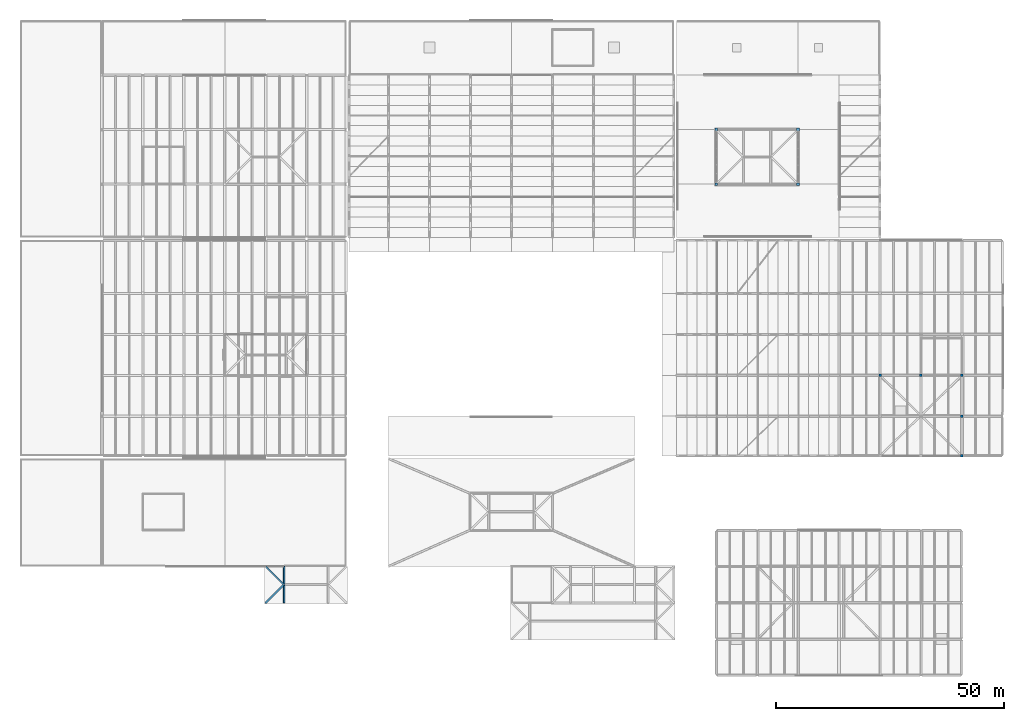
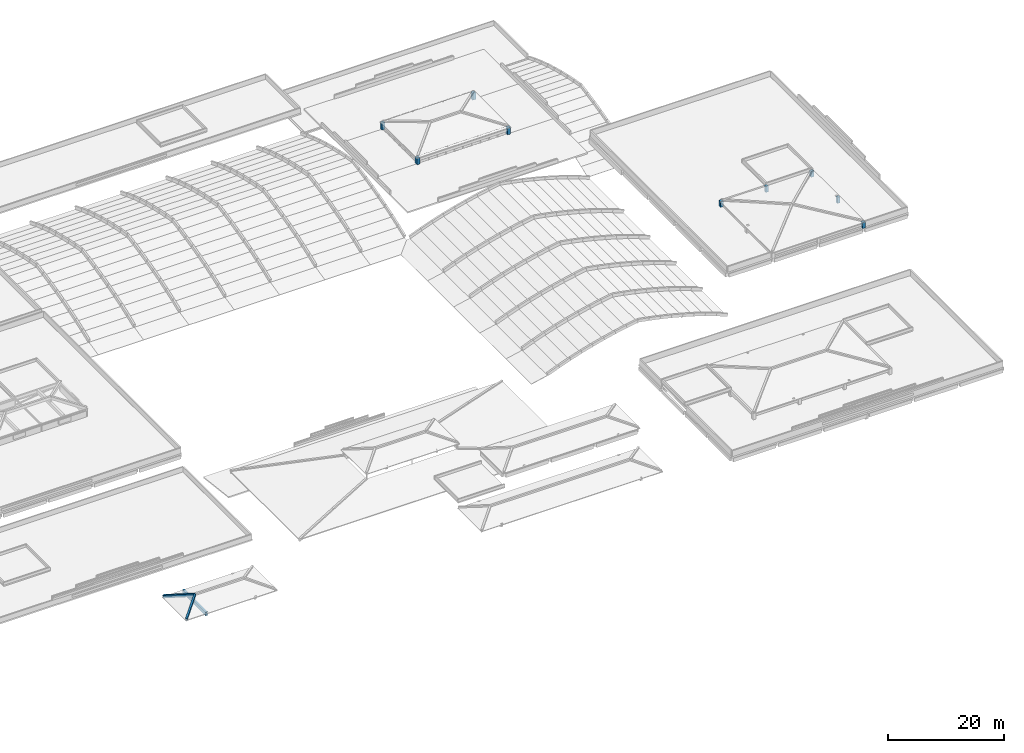
# One storey, part 3 of 56: 9 columns, 3 beams.
"""IFC4 building model written with IfcOpenShell, lengths in metres."""

import ifcopenshell
import ifcopenshell.guid

model = None  # the IFC model being written
_history = None  # IfcOwnerHistory: only IFC2X3 demands one
_inside = {}  # id of a spatial element -> (the spatial element, [elements in it])
_under = {}  # id of a project, library or spatial element -> (it, [spatial elements below it])
_declared = {}  # id of a project -> (the project, [libraries it declares])
_typed = {}  # id of a type object -> (the type object, [elements of that type])
_made_of = {}  # id of a material, layer set ... -> (it, [elements and type objects made of it])


def new_model(schema):
    """Start an empty IFC model of exactly this schema.

    Asked for "IFC4X3", IfcOpenShell would pick the latest addendum, in which some entities
    have other attributes; the version numbers below select the first issue.
    IFC2X3 requires an IfcOwnerHistory on every rooted entity: one is made here for all.
    """
    global model, _history
    if schema == "IFC4X3":
        model = ifcopenshell.file(schema_version=(4, 3, 0, 0))
    else:
        model = ifcopenshell.file(schema=schema)
    _inside.clear()
    _under.clear()
    _declared.clear()
    _typed.clear()
    _made_of.clear()
    _history = None
    if model.schema == "IFC2X3":
        org = make("IfcOrganization", Name="unknown")
        user = make(
            "IfcPersonAndOrganization",
            ThePerson=make("IfcPerson", FamilyName="unknown"),
            TheOrganization=org,
        )
        app = make(
            "IfcApplication",
            ApplicationDeveloper=org,
            Version="unknown",
            ApplicationFullName="unknown",
            ApplicationIdentifier="unknown",
        )
        _history = make(
            "IfcOwnerHistory",
            OwningUser=user,
            OwningApplication=app,
            ChangeAction="ADDED",
            CreationDate=0,
        )
    return model


def make(cls, **values):
    """One entity of the class cls with the attributes given. An attribute that is None is left unset."""
    return model.create_entity(
        cls, **{name: value for name, value in values.items() if value is not None}
    )


def rooted(cls, **values):
    """An entity with a GlobalId (a new one), such as an element, a storey or a relation."""
    return make(cls, GlobalId=ifcopenshell.guid.new(), OwnerHistory=_history, **values)


def si_unit(unit_type, name, prefix=None):
    """IfcSIUnit, for example si_unit("LENGTHUNIT", "METRE", prefix="MILLI")."""
    return make("IfcSIUnit", UnitType=unit_type, Prefix=prefix, Name=name)


def assignment(units):
    """IfcUnitAssignment: the units of a project."""
    return None if units is None else make("IfcUnitAssignment", Units=units)


def point(xyz):
    """IfcCartesianPoint."""
    return None if xyz is None else make("IfcCartesianPoint", Coordinates=xyz)


def direction(xyz):
    """IfcDirection."""
    return None if xyz is None else make("IfcDirection", DirectionRatios=xyz)


def frame(location, z_axis=None, x_axis=None):
    """IfcAxis2Placement3D, a coordinate frame: its origin and axes. An axis left out is left unset."""
    return make(
        "IfcAxis2Placement3D",
        Location=point(location),
        Axis=direction(z_axis),
        RefDirection=direction(x_axis),
    )


def frame_2d(location, x_axis=None):
    """IfcAxis2Placement2D, a coordinate frame in the plane: its origin and x axis."""
    return make(
        "IfcAxis2Placement2D", Location=point(location), RefDirection=direction(x_axis)
    )


def origin():
    """The frame at (0, 0, 0) with its axes left unset."""
    return frame((0.0, 0.0, 0.0))


def origin_2d():
    """The frame at (0, 0) in the plane with its x axis left unset."""
    return frame_2d((0.0, 0.0))


def place(relative_to, where):
    """IfcLocalPlacement: puts the frame where relative to a parent placement (None: the world)."""
    return make(
        "IfcLocalPlacement", PlacementRelTo=relative_to, RelativePlacement=where
    )


def context(
    kind, dimensions, precision=None, world=None, true_north=None, identifier=None
):
    """IfcGeometricRepresentationContext, for example the 3D "Model" context."""
    return make(
        "IfcGeometricRepresentationContext",
        ContextIdentifier=identifier,
        ContextType=kind,
        CoordinateSpaceDimension=dimensions,
        Precision=precision,
        WorldCoordinateSystem=world,
        TrueNorth=true_north,
    )


def subcontext(parent, identifier, kind, view, scale=None):
    """IfcGeometricRepresentationSubContext, for example "Body" below "Model"."""
    return make(
        "IfcGeometricRepresentationSubContext",
        ContextIdentifier=identifier,
        ContextType=kind,
        ParentContext=parent,
        TargetScale=scale,
        TargetView=view,
    )


def project(units=None, contexts=None):
    """IfcProject with its units and contexts."""
    return rooted(
        "IfcProject",
        Name="project",
        RepresentationContexts=contexts,
        UnitsInContext=assignment(units),
    )


def spatial(cls, under=None, at=None, **own):
    """A site, building, storey or space (cls), placed at a placement, below another one or the project."""
    s = rooted(cls, ObjectPlacement=at, **own)
    if under is not None:
        _under.setdefault(under.id(), (under, []))[1].append(s)
    return s


def profile(cls, at=None, kind="AREA", **sizes):
    """A parametric profile (cls). Its sizes go by their IFC names, for example OverallWidth=200.0."""
    return make(cls, ProfileType=kind, Position=at, **sizes)


def rectangle(**sizes):
    """IfcRectangleProfileDef."""
    return profile("IfcRectangleProfileDef", **sizes)


def extrude(swept, where, along, depth):
    """IfcExtrudedAreaSolid: the profile swept, set in the frame where, extruded along a direction by depth."""
    return make(
        "IfcExtrudedAreaSolid",
        SweptArea=swept,
        Position=where,
        ExtrudedDirection=direction(along),
        Depth=depth,
    )


def shape(context_of_items, identifier, shape_type, items):
    """IfcShapeRepresentation: the items that make up one representation, for example the "Body"."""
    return make(
        "IfcShapeRepresentation",
        ContextOfItems=context_of_items,
        RepresentationIdentifier=identifier,
        RepresentationType=shape_type,
        Items=items,
    )


def material(Name=None, Category=None):
    """IfcMaterial."""
    return make("IfcMaterial", Name=Name, Category=Category)


def material_profile(
    of_material, cross_section, Name=None, Category=None, Priority=None
):
    """IfcMaterialProfile: a cross section and its material."""
    return make(
        "IfcMaterialProfile",
        Name=Name,
        Material=of_material,
        Profile=cross_section,
        Priority=Priority,
        Category=Category,
    )


def profile_set(profiles, Name=None, composite=None):
    """IfcMaterialProfileSet."""
    return make(
        "IfcMaterialProfileSet",
        Name=Name,
        MaterialProfiles=profiles,
        CompositeProfile=composite,
    )


def made_of(thing, what):
    """Note that an element or type object is made of a material, layer set ...; save() writes the relation."""
    if what is not None:
        _made_of.setdefault(what.id(), (what, []))[1].append(thing)
    return thing


def type_object(cls, material=None, **own):
    """A type object (cls), such as IfcWallType, which elements share."""
    return made_of(rooted(cls, **own), material)


def element(
    cls,
    number,
    at=None,
    inside=None,
    cuts=None,
    type_object=None,
    material=None,
    context=None,
    identifier="Body",
    shape_type=None,
    held_by="IfcProductDefinitionShape",
    body=None,
    shapes=None,
    **own,
):
    """One element of the class cls, such as IfcWall. Its Tag is "e" and its number.

    at: its placement. inside: the storey or other place that contains it. cuts: it is an
    opening in that element (IfcRelVoidsElement). A single representation is given by context,
    identifier, shape_type and body (its items); several are given by shapes. held_by: the class
    of the entity that holds the representations. save() writes the other relations.
    """
    e = rooted(cls, Tag="e%d" % number, ObjectPlacement=at, **own)
    if body is not None:
        shapes = [shape(context, identifier, shape_type, body)]
    if shapes is not None:
        e.Representation = make(held_by, Representations=shapes)
    if inside is not None:
        _inside.setdefault(inside.id(), (inside, []))[1].append(e)
    if cuts is not None:
        rooted(
            "IfcRelVoidsElement", RelatingBuildingElement=cuts, RelatedOpeningElement=e
        )
    if type_object is not None:
        _typed.setdefault(type_object.id(), (type_object, []))[1].append(e)
    return made_of(e, material)


def aggregate(whole, parts):
    """IfcRelAggregates: a whole, such as a stair, and the parts it consists of."""
    return rooted("IfcRelAggregates", RelatingObject=whole, RelatedObjects=parts)


def save(model, path):
    """Write the relations noted so far, then the file.

    IfcRelAggregates (storeys below a building ...), IfcRelContainedInSpatialStructure (elements
    in a storey), IfcRelDefinesByType, IfcRelAssociatesMaterial and IfcRelDeclares: one each for
    every whole, place, type object, material and project.
    """
    for whole, parts in _under.values():
        aggregate(whole, parts)
    for where, things in _inside.values():
        rooted(
            "IfcRelContainedInSpatialStructure",
            RelatedElements=things,
            RelatingStructure=where,
        )
    for kind, things in _typed.values():
        rooted("IfcRelDefinesByType", RelatedObjects=things, RelatingType=kind)
    for what, things in _made_of.values():
        rooted("IfcRelAssociatesMaterial", RelatedObjects=things, RelatingMaterial=what)
    for by, libraries in _declared.values():
        rooted("IfcRelDeclares", RelatingContext=by, RelatedDefinitions=libraries)
    model.write(path)


model = new_model("IFC4")

# Units and contexts
model_context = context("Model", 3, precision=1e-05, world=origin(), true_north=direction((0.0, 1.0)))
body_context = subcontext(model_context, "Body", "Model", "MODEL_VIEW")
ifc_project = project(units=[si_unit("LENGTHUNIT", "METRE"), si_unit("AREAUNIT", "SQUARE_METRE"), si_unit("VOLUMEUNIT", "CUBIC_METRE"), si_unit("PLANEANGLEUNIT", "RADIAN"), si_unit("MASSUNIT", "GRAM", prefix="KILO")], contexts=[model_context])

# Site, building, storey
site_placement = place(None, origin())
site = spatial("IfcSite", under=ifc_project, at=site_placement, CompositionType="ELEMENT")
building_placement = place(site_placement, origin())
building = spatial("IfcBuilding", under=site, at=building_placement, Name="Zacnel Wholesale Market", CompositionType="ELEMENT")
storey_placement = place(building_placement, frame((0.0, 0.0, 20.300048828125)))
storey = spatial("IfcBuildingStorey", under=building, at=storey_placement, Name="RF", CompositionType="ELEMENT", Elevation=20.300048828125)

# Columns
ifc_material_1 = material(Name="Precast concrete C45/55", Category="concrete")
ifc_material_profile_1 = material_profile(ifc_material_1, rectangle(XDim=0.550048828125, YDim=0.550048828125, at=origin_2d()), Name="PC 550x550")
ifc_profile_set_1 = profile_set([ifc_material_profile_1], Name="Precast concrete C45/55")
column_type_1 = type_object("IfcColumnType", Name="COL-PC550", PredefinedType="COLUMN", material=ifc_profile_set_1)
for number, where, z_axis, x_axis, name in (
    (1, (189.0, 66.0, 0.0), (0.0, 0.0, 1.0), (1.0, 0.0, 0.0), "Attic crown column V1ELAN-03"),
    (2, (198.0, 66.0, 0.0), (0.0, 0.0, 1.0), (1.0, 0.0, 0.0), "Attic crown column V1ELAN-05"),
    (3, (207.0, 48.300048828125, 0.0), (0.0, 0.0, 1.0), (1.0, 0.0, 0.0), "Attic crown column V1ELAN-06"),
    (4, (207.0, 57.0, 0.0), (0.0, 0.0, 1.0), (1.0, 0.0, 0.0), "Attic crown column V1ELAN-07"),
    (5, (207.0, 66.0, 0.0), (0.0, 0.0, 1.0), (1.0, 0.0, 0.0), "Attic crown column V1ELAN-08"),
):
    element("IfcColumn", number, at=place(storey_placement, frame(where, z_axis=z_axis, x_axis=x_axis)), inside=storey, type_object=column_type_1, Name=name, PredefinedType="COLUMN", context=body_context, shape_type="SweptSolid", body=[
        extrude(rectangle(XDim=0.550048828125, YDim=0.550048828125, at=origin_2d()), origin(), (0.0, 0.0, 1.0), 1.25),
    ])
ifc_material_2 = material(Name="Precast concrete C45/55", Category="concrete")
ifc_material_profile_2 = material_profile(ifc_material_2, rectangle(XDim=0.60009765625, YDim=0.60009765625, at=origin_2d()), Name="PC 600x600")
ifc_profile_set_2 = profile_set([ifc_material_profile_2], Name="Precast concrete C45/55")
column_type_2 = type_object("IfcColumnType", Name="COL-PC600", PredefinedType="COLUMN", material=ifc_profile_set_2)
for number, where, z_axis, x_axis, name in (
    (6, (153.0, 108.0, -3.900146484375), (0.0, 0.0, 1.0), (1.0, 0.0, 0.0), "Crossing lantern column 01"),
    (7, (171.0, 108.0, -3.900146484375), (0.0, 0.0, 1.0), (1.0, 0.0, 0.0), "Crossing lantern column 02"),
    (8, (153.0, 120.0, -3.900146484375), (0.0, 0.0, 1.0), (1.0, 0.0, 0.0), "Crossing lantern column 03"),
    (9, (171.0, 120.0, -3.900146484375), (0.0, 0.0, 1.0), (1.0, 0.0, 0.0), "Crossing lantern column 04"),
):
    element("IfcColumn", number, at=place(storey_placement, frame(where, z_axis=z_axis, x_axis=x_axis)), inside=storey, type_object=column_type_2, Name=name, PredefinedType="COLUMN", context=body_context, shape_type="SweptSolid", body=[
        extrude(rectangle(XDim=0.60009765625, YDim=0.60009765625, at=origin_2d()), origin(), (0.0, 0.0, 1.0), 1.4501953125),
    ])

# Beams
ifc_material_3 = material(Name="Concrete C40/50", Category="concrete")
ifc_material_profile_3 = material_profile(ifc_material_3, rectangle(XDim=0.35009765625, YDim=0.60009765625, at=origin_2d()), Name="ARCH RIB 350x600")
ifc_profile_set_3 = profile_set([ifc_material_profile_3], Name="Concrete C40/50")
beam_type_1 = type_object("IfcBeamType", Name="BM-AR600", PredefinedType="USERDEFINED", material=ifc_profile_set_3)
for number, where, z_axis, x_axis, name in (
    (10, (54.0, 16.0, -9.1201171875), (0.687789348367, 0.687789348367, 0.232145696806), (-0.707106781187, 0.707106781187, 0.0), "Hipped crown rib STR-ROOF-V4W-PAV-1"),
    (11, (54.0, 24.0, -9.1201171875), (0.687789348367, -0.687789348367, 0.232145696806), (0.707106781187, 0.707106781187, 0.0), "Hipped crown rib STR-ROOF-V4W-PAV-4"),
):
    element("IfcBeam", number, at=place(storey_placement, frame(where, z_axis=z_axis, x_axis=x_axis)), inside=storey, type_object=beam_type_1, Name=name, ObjectType="ARCH RIB", PredefinedType="USERDEFINED", context=body_context, shape_type="SweptSolid", body=[
        extrude(rectangle(XDim=0.35009765625, YDim=0.60009765625, at=origin_2d()), origin(), (0.0, 0.0, 1.0), 5.815673828125),
    ])
ifc_material_4 = material(Name="Precast concrete C45/55", Category="concrete")
ifc_material_profile_4 = material_profile(ifc_material_4, rectangle(XDim=0.39990234375, YDim=0.699951171875, at=origin_2d()), Name="PG 400x700")
ifc_profile_set_4 = profile_set([ifc_material_profile_4], Name="Precast concrete C45/55")
beam_type_2 = type_object("IfcBeamType", Name="BM-PG700", PredefinedType="BEAM", material=ifc_profile_set_4)
beam_placement = place(storey_placement, frame((58.0, 16.0, -9.35009765625), z_axis=(0.0, 1.0, 0.0), x_axis=(-1.0, 0.0, 0.0)))
element("IfcBeam", 12, at=beam_placement, inside=storey, type_object=beam_type_2, Name="Hipped crown tie beam STR-ROOF-V4W-PAV-1", PredefinedType="BEAM", context=body_context, shape_type="SweptSolid", body=[
    extrude(rectangle(XDim=0.39990234375, YDim=0.699951171875, at=origin_2d()), origin(), (0.0, 0.0, 1.0), 8.0),
])

save(model, "model.ifc")
